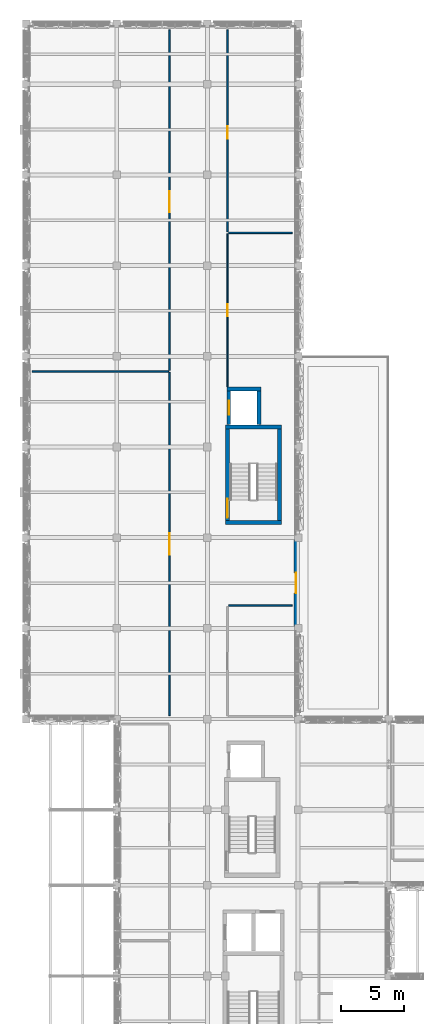
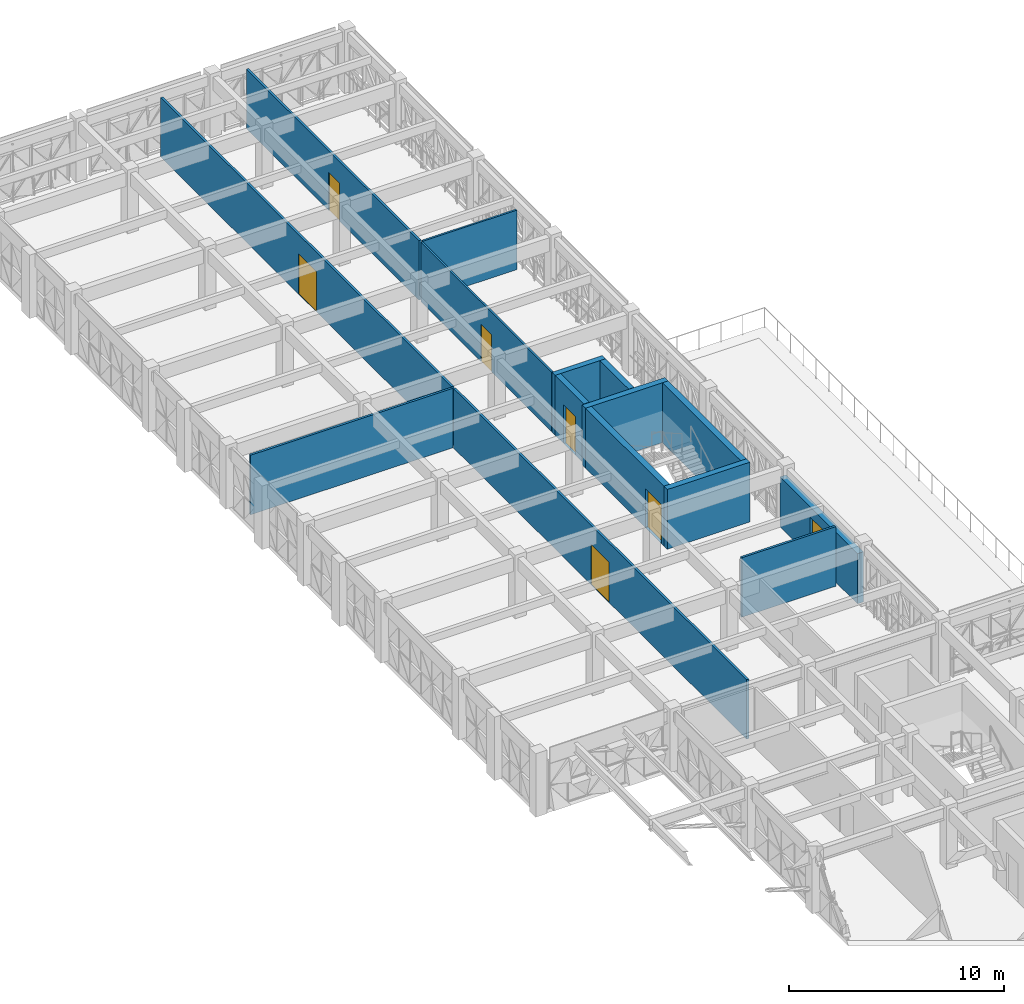
# One storey, part 54 of 99: 15 walls, 7 doors, 7 openings.
"""IFC4 building model written with IfcOpenShell, lengths in metres."""

from ifc_helpers import new_model, si_unit, direction, frame, frame_2d, origin, place, context, subcontext, project, spatial, rectangle, extrude, material, layer, layer_set, type_object, element, fill, save


model = new_model("IFC4")

# Units and contexts
model_context = context("Model", 3, precision=1e-05, world=origin(), true_north=direction((0.0, 1.0)))
body_context = subcontext(model_context, "Body", "Model", "MODEL_VIEW")
ifc_project = project(units=[si_unit("LENGTHUNIT", "METRE"), si_unit("AREAUNIT", "SQUARE_METRE"), si_unit("VOLUMEUNIT", "CUBIC_METRE"), si_unit("PLANEANGLEUNIT", "RADIAN"), si_unit("MASSUNIT", "GRAM", prefix="KILO")], contexts=[model_context])

# Site, building, storey
site_placement = place(None, origin())
site = spatial("IfcSite", under=ifc_project, at=site_placement, CompositionType="ELEMENT")
building_placement = place(site_placement, origin())
building = spatial("IfcBuilding", under=site, at=building_placement, Name="Alvorim Cloister Faculty of Sciences", CompositionType="ELEMENT")
storey_placement = place(building_placement, frame((0.0, 0.0, 12.14990234375)))
storey = spatial("IfcBuildingStorey", under=building, at=storey_placement, Name="L03", CompositionType="ELEMENT", Elevation=12.14990234375)

# Wall, opening, door
ifc_material_1 = material(Name="Precast Concrete C40", Category="concrete")
ifc_layer_1 = layer(ifc_material_1, 0.320068359375)
ifc_layer_set_1 = layer_set([ifc_layer_1], Name="Precast Concrete C40")
wall_type_1 = type_object("IfcWallType", Name="WL-EXT-PC-320", PredefinedType="SOLIDWALL", material=ifc_layer_set_1)
wall_1_placement = place(storey_placement, frame((21.43994140625, 63.60009765625, 0.0), z_axis=(0.0, 0.0, 1.0), x_axis=(0.0, 1.0, 0.0)))
wall_1 = element("IfcWall", 1, at=wall_1_placement, inside=storey, type_object=wall_type_1, Name="L03 Exterior Wall WL-0193", PredefinedType="SOLIDWALL", context=body_context, shape_type="SweptSolid", body=[
    extrude(rectangle(XDim=7.199951171875, YDim=0.320068359375, at=frame_2d((3.60009765625, 0.0))), origin(), (0.0, 0.0, 1.0), 2.840087890625),
])
opening_1_placement = place(wall_1_placement, frame((2.800048828125, 0.0, 0.0)))
opening_1 = element("IfcOpeningElement", 2, at=opening_1_placement, cuts=wall_1, Name="Opening TD-03", PredefinedType="OPENING", context=body_context, shape_type="SweptSolid", body=[
    extrude(rectangle(XDim=1.60009765625, YDim=2.25, at=frame_2d((0.800048828125, 1.125))), frame((0.0, 0.171875, 0.0), z_axis=(0.0, -1.0, 0.0), x_axis=(1.0, 0.0, 0.0)), (0.0, 0.0, 1.0), 0.343994140625),
])
ifc_material_2 = material(Name="Aluminium Alloy 6063-T6", Category="aluminium")
door_type_1 = type_object("IfcDoorType", Name="DR-TER-1600x2250", OperationType="NOTDEFINED", PredefinedType="DOOR", material=ifc_material_2)
door_1_placement = place(opening_1_placement, origin())
door_1 = element("IfcDoor", 3, at=door_1_placement, inside=storey, type_object=door_type_1, Name="L03 Cloister Commons Planted Roof Garden Access Door TD-03", OperationType="DOUBLE_DOOR_SINGLE_SWING", OverallHeight=2.25, OverallWidth=1.60009765625, PredefinedType="DOOR", context=body_context, shape_type="SweptSolid", body=[
    extrude(rectangle(XDim=1.60009765625, YDim=2.25, at=frame_2d((0.800048828125, 1.125))), frame((0.0, 0.02490234375, 0.0), z_axis=(0.0, -1.0, 0.0), x_axis=(1.0, 0.0, 0.0)), (0.0, 0.0, 1.0), 0.050048828125),
])
fill(opening_1, door_1)

ifc_material_3 = material(Name="Moisture-Resistant Tile Stud Partition", Category="gypsum")
ifc_layer_2 = layer(ifc_material_3, 0.10009765625)
ifc_layer_set_2 = layer_set([ifc_layer_2], Name="Moisture-Resistant Tile Stud Partition")
wall_type_2 = type_object("IfcWallType", Name="WL-PRT-100", PredefinedType="PARTITIONING", material=ifc_layer_set_2)
wall_2_placement = place(storey_placement, frame((16.0, 82.7900390625, 0.0), z_axis=(0.0, 0.0, 1.0), x_axis=(0.0, 1.0, 0.0)))
wall_2 = element("IfcWall", 4, at=wall_2_placement, inside=storey, type_object=wall_type_2, Name="L03 L03 Commons Accessible WCs Partition IWL-0605", PredefinedType="PARTITIONING", context=body_context, shape_type="SweptSolid", body=[
    extrude(rectangle(XDim=12.1298828125, YDim=0.10009765625, at=frame_2d((6.06494140625, 0.0))), origin(), (0.0, 0.0, 1.0), 3.375),
])
opening_2_placement = place(wall_2_placement, frame((5.590087890625, 0.0, 0.0)))
opening_2 = element("IfcOpeningElement", 5, at=opening_2_placement, cuts=wall_2, Name="Opening D-L03-158", PredefinedType="OPENING", context=body_context, shape_type="SweptSolid", body=[
    extrude(rectangle(XDim=0.949951171875, YDim=2.10009765625, at=frame_2d((0.47509765625, 1.050048828125))), frame((0.0, 0.06201171875, 0.0), z_axis=(0.0, -1.0, 0.0), x_axis=(1.0, 0.0, 0.0)), (0.0, 0.0, 1.0), 0.1240234375),
])
ifc_material_4 = material(Name="Moisture-Resistant Laminate Timber", Category="wood")
door_type_2 = type_object("IfcDoorType", Name="DR-WC-950x2100", OperationType="NOTDEFINED", PredefinedType="DOOR", material=ifc_material_4)
door_2_placement = place(opening_2_placement, origin())
door_2 = element("IfcDoor", 6, at=door_2_placement, inside=storey, type_object=door_type_2, Name="L03 Commons Accessible WCs Door D-L03-158", OperationType="SINGLE_SWING_RIGHT", OverallHeight=2.10009765625, OverallWidth=0.949951171875, PredefinedType="DOOR", context=body_context, shape_type="SweptSolid", body=[
    extrude(rectangle(XDim=0.949951171875, YDim=2.10009765625, at=frame_2d((0.47509765625, 1.050048828125))), frame((0.0, 0.02490234375, 0.0), z_axis=(0.0, -1.0, 0.0), x_axis=(1.0, 0.0, 0.0)), (0.0, 0.0, 1.0), 0.050048828125),
])
fill(opening_2, door_2)

# Wall
wall_3_placement = place(storey_placement, frame((16.080078125, 95.0, 0.0), z_axis=(0.0, 0.0, 1.0), x_axis=(1.0, 0.0, 0.0)))
element("IfcWall", 7, at=wall_3_placement, inside=storey, type_object=wall_type_2, Name="L03 L03 Commons Accessible WCs Partition IWL-0606", PredefinedType="PARTITIONING", context=body_context, shape_type="SweptSolid", body=[
    extrude(rectangle(XDim=5.0400390625, YDim=0.10009765625, at=frame_2d((2.52001953125, 0.0))), origin(), (0.0, 0.0, 1.0), 3.375),
])

# Wall, opening, door
ifc_material_5 = material(Name="Acoustic Gypsum Stud Partition", Category="gypsum")
ifc_layer_3 = layer(ifc_material_5, 0.1201171875)
ifc_layer_set_3 = layer_set([ifc_layer_3], Name="Acoustic Gypsum Stud Partition")
wall_type_3 = type_object("IfcWallType", Name="WL-PRT-120", PredefinedType="PARTITIONING", material=ifc_layer_set_3)
wall_4_placement = place(storey_placement, frame((11.39990234375, 56.679931640625, 0.0), z_axis=(0.0, 0.0, 1.0), x_axis=(0.0, 1.0, 0.0)))
wall_4 = element("IfcWall", 8, at=wall_4_placement, inside=storey, type_object=wall_type_3, Name="L03 Mathematics and Physics Collection Partition IWL-0599", PredefinedType="PARTITIONING", context=body_context, shape_type="SweptSolid", body=[
    extrude(rectangle(XDim=27.239990234375, YDim=0.1201171875, at=frame_2d((13.6201171875, 0.0))), origin(), (0.0, 0.0, 1.0), 3.375),
])
opening_3_placement = place(wall_4_placement, frame((12.77001953125, 0.0, 0.0)))
opening_3 = element("IfcOpeningElement", 9, at=opening_3_placement, cuts=wall_4, Name="Opening D-L03-155", PredefinedType="OPENING", context=body_context, shape_type="SweptSolid", body=[
    extrude(rectangle(XDim=1.699951171875, YDim=2.280029296875, at=frame_2d((0.85009765625, 1.14013671875))), frame((0.0, 0.072021484375, 0.0), z_axis=(0.0, -1.0, 0.0), x_axis=(1.0, 0.0, 0.0)), (0.0, 0.0, 1.0), 0.14404296875),
])
ifc_material_6 = material(Name="Solid Acoustic Oak Timber", Category="wood")
door_type_3 = type_object("IfcDoorType", Name="DR-HALL-1700x2280", OperationType="NOTDEFINED", PredefinedType="DOOR", material=ifc_material_6)
door_3_placement = place(opening_3_placement, origin())
door_3 = element("IfcDoor", 10, at=door_3_placement, inside=storey, type_object=door_type_3, Name="Mathematics and Physics Collection Door D-L03-155", OperationType="DOUBLE_DOOR_SINGLE_SWING", OverallHeight=2.280029296875, OverallWidth=1.699951171875, PredefinedType="DOOR", context=body_context, shape_type="SweptSolid", body=[
    extrude(rectangle(XDim=1.699951171875, YDim=2.280029296875, at=frame_2d((0.85009765625, 1.14013671875))), frame((0.0, 0.02490234375, 0.0), z_axis=(0.0, -1.0, 0.0), x_axis=(1.0, 0.0, 0.0)), (0.0, 0.0, 1.0), 0.050048828125),
])
fill(opening_3, door_3)

# Wall
wall_5_placement = place(storey_placement, frame((0.47998046875, 84.0, 0.0), z_axis=(0.0, 0.0, 1.0), x_axis=(1.0, 0.0, 0.0)))
element("IfcWall", 11, at=wall_5_placement, inside=storey, type_object=wall_type_3, Name="L03 Mathematics and Physics Collection Partition IWL-0600", PredefinedType="PARTITIONING", context=body_context, shape_type="SweptSolid", body=[
    extrude(rectangle(XDim=10.840087890625, YDim=0.1201171875, at=frame_2d((5.419921875, 0.0))), origin(), (0.0, 0.0, 1.0), 3.375),
])

# Wall, opening, door
wall_6_placement = place(storey_placement, frame((11.39990234375, 84.080078125, 0.0), z_axis=(0.0, 0.0, 1.0), x_axis=(0.0, 1.0, 0.0)))
wall_6 = element("IfcWall", 12, at=wall_6_placement, inside=storey, type_object=wall_type_3, Name="L03 Earth Sciences Map Room Partition IWL-0601", PredefinedType="PARTITIONING", context=body_context, shape_type="SweptSolid", body=[
    extrude(rectangle(XDim=27.0400390625, YDim=0.1201171875, at=frame_2d((13.52001953125, 0.0))), origin(), (0.0, 0.0, 1.0), 3.375),
])
opening_4_placement = place(wall_6_placement, frame((12.5400390625, 0.0, 0.0)))
opening_4 = element("IfcOpeningElement", 13, at=opening_4_placement, cuts=wall_6, Name="Opening D-L03-156", PredefinedType="OPENING", context=body_context, shape_type="SweptSolid", body=[
    extrude(rectangle(XDim=1.699951171875, YDim=2.280029296875, at=frame_2d((0.85009765625, 1.14013671875))), frame((0.0, 0.072021484375, 0.0), z_axis=(0.0, -1.0, 0.0), x_axis=(1.0, 0.0, 0.0)), (0.0, 0.0, 1.0), 0.14404296875),
])
door_4_placement = place(opening_4_placement, origin())
door_4 = element("IfcDoor", 14, at=door_4_placement, inside=storey, type_object=door_type_3, Name="Earth Sciences Map Room Door D-L03-156", OperationType="DOUBLE_DOOR_SINGLE_SWING", OverallHeight=2.280029296875, OverallWidth=1.699951171875, PredefinedType="DOOR", context=body_context, shape_type="SweptSolid", body=[
    extrude(rectangle(XDim=1.699951171875, YDim=2.280029296875, at=frame_2d((0.85009765625, 1.14013671875))), frame((0.0, 0.02490234375, 0.0), z_axis=(0.0, -1.0, 0.0), x_axis=(1.0, 0.0, 0.0)), (0.0, 0.0, 1.0), 0.050048828125),
])
fill(opening_4, door_4)

# Wall
wall_7_placement = place(storey_placement, frame((16.080078125, 65.39990234375, 0.0), z_axis=(0.0, 0.0, 1.0), x_axis=(1.0, 0.0, 0.0)))
element("IfcWall", 15, at=wall_7_placement, inside=storey, type_object=wall_type_3, Name="L03 Commons Terrace Seminar 304 Partition IWL-0604", PredefinedType="PARTITIONING", context=body_context, shape_type="SweptSolid", body=[
    extrude(rectangle(XDim=5.0400390625, YDim=0.1201171875, at=frame_2d((2.52001953125, 0.0))), origin(), (0.0, 0.0, 1.0), 3.375),
])

# Wall, opening, door
wall_8_placement = place(storey_placement, frame((16.0, 95.080078125, 0.0), z_axis=(0.0, 0.0, 1.0), x_axis=(0.0, 1.0, 0.0)))
wall_8 = element("IfcWall", 16, at=wall_8_placement, inside=storey, type_object=wall_type_3, Name="L03 Doctoral Carrels North Partition IWL-0607", PredefinedType="PARTITIONING", context=body_context, shape_type="SweptSolid", body=[
    extrude(rectangle(XDim=16.0400390625, YDim=0.1201171875, at=frame_2d((8.02001953125, 0.0))), origin(), (0.0, 0.0, 1.0), 3.375),
])
opening_5_placement = place(wall_8_placement, frame((7.389892578125, 0.0, 0.0)))
opening_5 = element("IfcOpeningElement", 17, at=opening_5_placement, cuts=wall_8, Name="Opening D-L03-159", PredefinedType="OPENING", context=body_context, shape_type="SweptSolid", body=[
    extrude(rectangle(XDim=1.0, YDim=2.14990234375, at=frame_2d((0.5, 1.074951171875))), frame((0.0, 0.072021484375, 0.0), z_axis=(0.0, -1.0, 0.0), x_axis=(1.0, 0.0, 0.0)), (0.0, 0.0, 1.0), 0.14404296875),
])
door_type_4 = type_object("IfcDoorType", Name="DR-OFF-1000x2150", OperationType="NOTDEFINED", PredefinedType="DOOR", material=ifc_material_6)
door_5_placement = place(opening_5_placement, origin())
door_5 = element("IfcDoor", 18, at=door_5_placement, inside=storey, type_object=door_type_4, Name="Doctoral Carrels North Door D-L03-159", OperationType="SINGLE_SWING_LEFT", OverallHeight=2.14990234375, OverallWidth=1.0, PredefinedType="DOOR", context=body_context, shape_type="SweptSolid", body=[
    extrude(rectangle(XDim=1.0, YDim=2.14990234375, at=frame_2d((0.5, 1.074951171875))), frame((0.0, 0.02490234375, 0.0), z_axis=(0.0, -1.0, 0.0), x_axis=(1.0, 0.0, 0.0)), (0.0, 0.0, 1.0), 0.050048828125),
])
fill(opening_5, door_5)

# Wall
ifc_material_7 = material(Name="Concrete C40", Category="concrete")
ifc_layer_4 = layer(ifc_material_7, 0.300048828125)
ifc_layer_set_4 = layer_set([ifc_layer_4], Name="Concrete C40")
wall_type_4 = type_object("IfcWallType", Name="WL-SHR-300", PredefinedType="SHEAR", material=ifc_layer_set_4)
wall_9_placement = place(storey_placement, frame((15.949951171875, 82.60009765625, 0.0), z_axis=(0.0, 0.0, 1.0), x_axis=(1.0, 0.0, 0.0)))
element("IfcWall", 19, at=wall_9_placement, inside=storey, type_object=wall_type_4, Name="L03 Lift LP-05 Shaft Wall IWL-0374", PredefinedType="SHEAR", context=body_context, shape_type="SweptSolid", body=[
    extrude(rectangle(XDim=2.699951171875, YDim=0.300048828125, at=frame_2d((1.35009765625, 0.0))), origin(), (0.0, 0.0, 1.0), 3.39013671875),
])

# Wall, opening, door
wall_10_placement = place(storey_placement, frame((16.10009765625, 79.780029296875, 0.0), z_axis=(0.0, 0.0, 1.0), x_axis=(0.0, 1.0, 0.0)))
wall_10 = element("IfcWall", 20, at=wall_10_placement, inside=storey, type_object=wall_type_4, Name="L03 Lift LP-05 Shaft Wall IWL-0375", PredefinedType="SHEAR", context=body_context, shape_type="SweptSolid", body=[
    extrude(rectangle(XDim=2.669921875, YDim=0.300048828125, at=frame_2d((1.3349609375, 0.0))), origin(), (0.0, 0.0, 1.0), 3.39013671875),
])
opening_6_placement = place(wall_10_placement, frame((0.784912109375, 0.0, 0.0)))
opening_6 = element("IfcOpeningElement", 21, at=opening_6_placement, cuts=wall_10, Name="Opening LD-055", PredefinedType="OPENING", context=body_context, shape_type="SweptSolid", body=[
    extrude(rectangle(XDim=1.10009765625, YDim=2.199951171875, at=frame_2d((0.550048828125, 1.10009765625))), frame((0.0, 0.162109375, 0.0), z_axis=(0.0, -1.0, 0.0), x_axis=(1.0, 0.0, 0.0)), (0.0, 0.0, 1.0), 0.323974609375),
])
ifc_material_8 = material(Name="Brushed Stainless Steel", Category="steel")
door_type_5 = type_object("IfcDoorType", Name="DR-LFT-1100x2200", OperationType="NOTDEFINED", PredefinedType="DOOR", material=ifc_material_8)
door_6_placement = place(opening_6_placement, origin())
door_6 = element("IfcDoor", 22, at=door_6_placement, inside=storey, type_object=door_type_5, Name="L03 Lift LP-05 Sliding Landing Door LD-055", OperationType="DOUBLE_DOOR_SLIDING", OverallHeight=2.199951171875, OverallWidth=1.10009765625, PredefinedType="DOOR", context=body_context, shape_type="SweptSolid", body=[
    extrude(rectangle(XDim=1.10009765625, YDim=2.199951171875, at=frame_2d((0.550048828125, 1.10009765625))), frame((0.0, 0.02490234375, 0.0), z_axis=(0.0, -1.0, 0.0), x_axis=(1.0, 0.0, 0.0)), (0.0, 0.0, 1.0), 0.050048828125),
])
fill(opening_6, door_6)

# Walls
wall_11_placement = place(storey_placement, frame((18.5, 79.780029296875, 0.0), z_axis=(0.0, 0.0, 1.0), x_axis=(0.0, 1.0, 0.0)))
element("IfcWall", 23, at=wall_11_placement, inside=storey, type_object=wall_type_4, Name="L03 Lift LP-05 Shaft Wall IWL-0376", PredefinedType="SHEAR", context=body_context, shape_type="SweptSolid", body=[
    extrude(rectangle(XDim=2.669921875, YDim=0.300048828125, at=frame_2d((1.3349609375, 0.0))), origin(), (0.0, 0.0, 1.0), 3.39013671875),
])
ifc_layer_5 = layer(ifc_material_7, 0.320068359375)
ifc_layer_set_5 = layer_set([ifc_layer_5], Name="Concrete C40")
wall_type_5 = type_object("IfcWallType", Name="WL-SHR-320", PredefinedType="SHEAR", material=ifc_layer_set_5)
for number, where, z_axis, x_axis, name in (
    (24, (15.840087890625, 72.0, 0.0), (0.0, 0.0, 1.0), (1.0, 0.0, 0.0), "L03 CORE K5 Shear Wall IWL-0177"),
    (25, (15.840087890625, 79.60009765625, 0.0), (0.0, 0.0, 1.0), (1.0, 0.0, 0.0), "L03 CORE K5 Shear Wall IWL-0178"),
):
    element("IfcWall", number, at=place(storey_placement, frame(where, z_axis=z_axis, x_axis=x_axis)), inside=storey, type_object=wall_type_5, Name=name, PredefinedType="SHEAR", context=body_context, shape_type="SweptSolid", body=[
        extrude(rectangle(XDim=4.43994140625, YDim=0.320068359375, at=frame_2d((2.219970703125, 0.0))), origin(), (0.0, 0.0, 1.0), 3.39013671875),
    ])

# Wall, opening, door
wall_12_placement = place(storey_placement, frame((16.0, 72.159912109375, 0.0), z_axis=(0.0, 0.0, 1.0), x_axis=(0.0, 1.0, 0.0)))
wall_12 = element("IfcWall", 26, at=wall_12_placement, inside=storey, type_object=wall_type_5, Name="L03 CORE K5 Shear Wall IWL-0179", PredefinedType="SHEAR", context=body_context, shape_type="SweptSolid", body=[
    extrude(rectangle(XDim=7.280029296875, YDim=0.320068359375, at=frame_2d((3.64013671875, 0.0))), origin(), (0.0, 0.0, 1.0), 3.39013671875),
])
opening_7_placement = place(wall_12_placement, frame((0.219970703125, 0.0, 0.0)))
opening_7 = element("IfcOpeningElement", 27, at=opening_7_placement, cuts=wall_12, Name="Opening SD-K5-L03", PredefinedType="OPENING", context=body_context, shape_type="SweptSolid", body=[
    extrude(rectangle(XDim=1.5, YDim=2.199951171875, at=frame_2d((0.75, 1.10009765625))), frame((0.0, 0.171875, 0.0), z_axis=(0.0, -1.0, 0.0), x_axis=(1.0, 0.0, 0.0)), (0.0, 0.0, 1.0), 0.343994140625),
])
ifc_material_9 = material(Name="Galvanised Fire-Rated Steel", Category="steel")
door_type_6 = type_object("IfcDoorType", Name="DR-STR-1500x2200", OperationType="NOTDEFINED", PredefinedType="DOOR", material=ifc_material_9)
door_7_placement = place(opening_7_placement, origin())
door_7 = element("IfcDoor", 28, at=door_7_placement, inside=storey, type_object=door_type_6, Name="L03 Stair ST-05 Fire Door SD-K5-L03", OperationType="DOUBLE_DOOR_SINGLE_SWING", OverallHeight=2.199951171875, OverallWidth=1.5, PredefinedType="DOOR", context=body_context, shape_type="SweptSolid", body=[
    extrude(rectangle(XDim=1.5, YDim=2.199951171875, at=frame_2d((0.75, 1.10009765625))), frame((0.0, 0.02490234375, 0.0), z_axis=(0.0, -1.0, 0.0), x_axis=(1.0, 0.0, 0.0)), (0.0, 0.0, 1.0), 0.050048828125),
])
fill(opening_7, door_7)

# Wall
wall_13_placement = place(storey_placement, frame((20.1201171875, 72.159912109375, 0.0), z_axis=(0.0, 0.0, 1.0), x_axis=(0.0, 1.0, 0.0)))
element("IfcWall", 29, at=wall_13_placement, inside=storey, type_object=wall_type_5, Name="L03 CORE K5 Shear Wall IWL-0180", PredefinedType="SHEAR", context=body_context, shape_type="SweptSolid", body=[
    extrude(rectangle(XDim=7.280029296875, YDim=0.320068359375, at=frame_2d((3.64013671875, 0.0))), origin(), (0.0, 0.0, 1.0), 3.39013671875),
])

save(model, "model.ifc")
